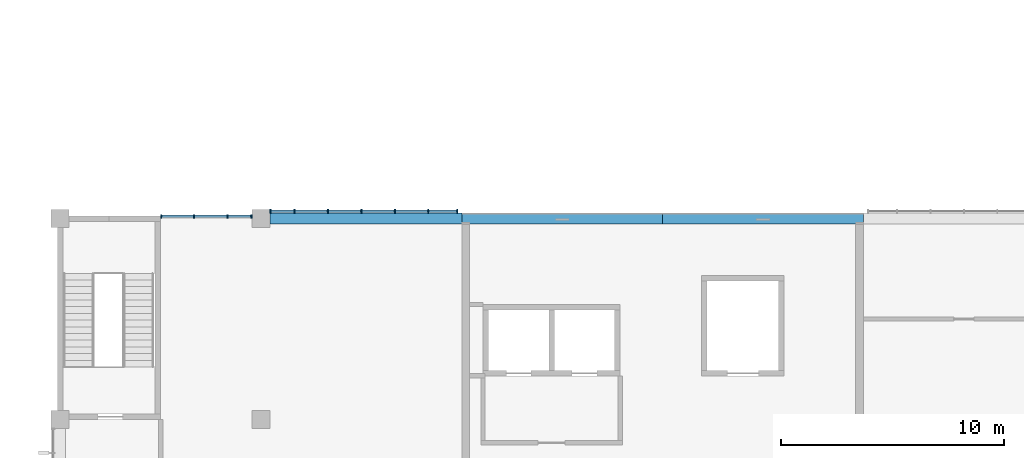
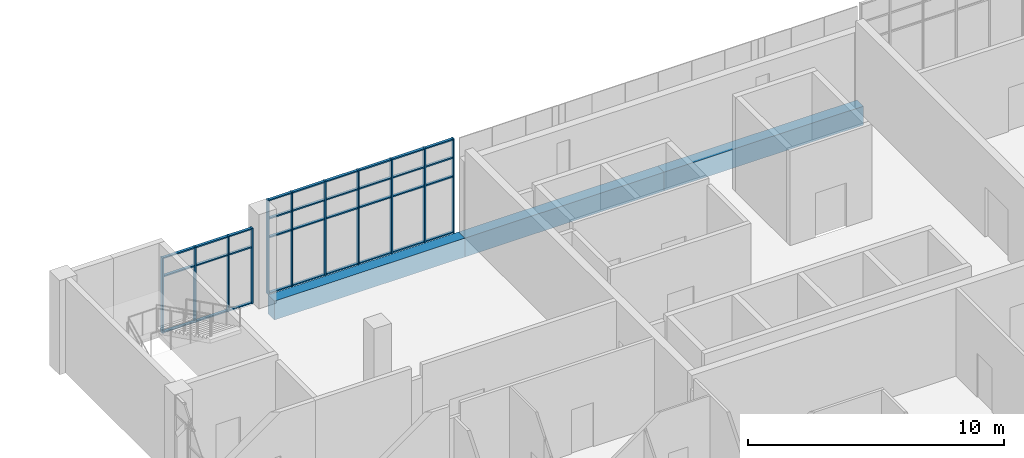
# One storey, part 4 of 19: 44 members, 3 beams, 2 elements without a shape of their own.
"""IFC4 building model written with IfcOpenShell, lengths in metres."""

import ifcopenshell
import ifcopenshell.guid

model = None  # the IFC model being written
_history = None  # IfcOwnerHistory: only IFC2X3 demands one
_inside = {}  # id of a spatial element -> (the spatial element, [elements in it])
_under = {}  # id of a project, library or spatial element -> (it, [spatial elements below it])
_declared = {}  # id of a project -> (the project, [libraries it declares])
_typed = {}  # id of a type object -> (the type object, [elements of that type])
_made_of = {}  # id of a material, layer set ... -> (it, [elements and type objects made of it])


def new_model(schema):
    """Start an empty IFC model of exactly this schema.

    Asked for "IFC4X3", IfcOpenShell would pick the latest addendum, in which some entities
    have other attributes; the version numbers below select the first issue.
    IFC2X3 requires an IfcOwnerHistory on every rooted entity: one is made here for all.
    """
    global model, _history
    if schema == "IFC4X3":
        model = ifcopenshell.file(schema_version=(4, 3, 0, 0))
    else:
        model = ifcopenshell.file(schema=schema)
    _inside.clear()
    _under.clear()
    _declared.clear()
    _typed.clear()
    _made_of.clear()
    _history = None
    if model.schema == "IFC2X3":
        org = make("IfcOrganization", Name="unknown")
        user = make(
            "IfcPersonAndOrganization",
            ThePerson=make("IfcPerson", FamilyName="unknown"),
            TheOrganization=org,
        )
        app = make(
            "IfcApplication",
            ApplicationDeveloper=org,
            Version="unknown",
            ApplicationFullName="unknown",
            ApplicationIdentifier="unknown",
        )
        _history = make(
            "IfcOwnerHistory",
            OwningUser=user,
            OwningApplication=app,
            ChangeAction="ADDED",
            CreationDate=0,
        )
    return model


def make(cls, **values):
    """One entity of the class cls with the attributes given. An attribute that is None is left unset."""
    return model.create_entity(
        cls, **{name: value for name, value in values.items() if value is not None}
    )


def rooted(cls, **values):
    """An entity with a GlobalId (a new one), such as an element, a storey or a relation."""
    return make(cls, GlobalId=ifcopenshell.guid.new(), OwnerHistory=_history, **values)


def si_unit(unit_type, name, prefix=None):
    """IfcSIUnit, for example si_unit("LENGTHUNIT", "METRE", prefix="MILLI")."""
    return make("IfcSIUnit", UnitType=unit_type, Prefix=prefix, Name=name)


def assignment(units):
    """IfcUnitAssignment: the units of a project."""
    return None if units is None else make("IfcUnitAssignment", Units=units)


def point(xyz):
    """IfcCartesianPoint."""
    return None if xyz is None else make("IfcCartesianPoint", Coordinates=xyz)


def direction(xyz):
    """IfcDirection."""
    return None if xyz is None else make("IfcDirection", DirectionRatios=xyz)


def frame(location, z_axis=None, x_axis=None):
    """IfcAxis2Placement3D, a coordinate frame: its origin and axes. An axis left out is left unset."""
    return make(
        "IfcAxis2Placement3D",
        Location=point(location),
        Axis=direction(z_axis),
        RefDirection=direction(x_axis),
    )


def frame_2d(location, x_axis=None):
    """IfcAxis2Placement2D, a coordinate frame in the plane: its origin and x axis."""
    return make(
        "IfcAxis2Placement2D", Location=point(location), RefDirection=direction(x_axis)
    )


def origin():
    """The frame at (0, 0, 0) with its axes left unset."""
    return frame((0.0, 0.0, 0.0))


def origin_2d():
    """The frame at (0, 0) in the plane with its x axis left unset."""
    return frame_2d((0.0, 0.0))


def place(relative_to, where):
    """IfcLocalPlacement: puts the frame where relative to a parent placement (None: the world)."""
    return make(
        "IfcLocalPlacement", PlacementRelTo=relative_to, RelativePlacement=where
    )


def context(
    kind, dimensions, precision=None, world=None, true_north=None, identifier=None
):
    """IfcGeometricRepresentationContext, for example the 3D "Model" context."""
    return make(
        "IfcGeometricRepresentationContext",
        ContextIdentifier=identifier,
        ContextType=kind,
        CoordinateSpaceDimension=dimensions,
        Precision=precision,
        WorldCoordinateSystem=world,
        TrueNorth=true_north,
    )


def subcontext(parent, identifier, kind, view, scale=None):
    """IfcGeometricRepresentationSubContext, for example "Body" below "Model"."""
    return make(
        "IfcGeometricRepresentationSubContext",
        ContextIdentifier=identifier,
        ContextType=kind,
        ParentContext=parent,
        TargetScale=scale,
        TargetView=view,
    )


def project(units=None, contexts=None):
    """IfcProject with its units and contexts."""
    return rooted(
        "IfcProject",
        Name="project",
        RepresentationContexts=contexts,
        UnitsInContext=assignment(units),
    )


def spatial(cls, under=None, at=None, **own):
    """A site, building, storey or space (cls), placed at a placement, below another one or the project."""
    s = rooted(cls, ObjectPlacement=at, **own)
    if under is not None:
        _under.setdefault(under.id(), (under, []))[1].append(s)
    return s


def profile(cls, at=None, kind="AREA", **sizes):
    """A parametric profile (cls). Its sizes go by their IFC names, for example OverallWidth=200.0."""
    return make(cls, ProfileType=kind, Position=at, **sizes)


def rectangle(**sizes):
    """IfcRectangleProfileDef."""
    return profile("IfcRectangleProfileDef", **sizes)


def extrude(swept, where, along, depth):
    """IfcExtrudedAreaSolid: the profile swept, set in the frame where, extruded along a direction by depth."""
    return make(
        "IfcExtrudedAreaSolid",
        SweptArea=swept,
        Position=where,
        ExtrudedDirection=direction(along),
        Depth=depth,
    )


def shape(context_of_items, identifier, shape_type, items):
    """IfcShapeRepresentation: the items that make up one representation, for example the "Body"."""
    return make(
        "IfcShapeRepresentation",
        ContextOfItems=context_of_items,
        RepresentationIdentifier=identifier,
        RepresentationType=shape_type,
        Items=items,
    )


def material(Name=None, Category=None):
    """IfcMaterial."""
    return make("IfcMaterial", Name=Name, Category=Category)


def layer(
    of_material, thickness, ventilated=None, Name=None, Category=None, Priority=None
):
    """IfcMaterialLayer: one layer of a wall or slab, of a material (None: an air gap)."""
    return make(
        "IfcMaterialLayer",
        Material=of_material,
        LayerThickness=thickness,
        IsVentilated=ventilated,
        Name=Name,
        Category=Category,
        Priority=Priority,
    )


def layer_set(layers, Name=None):
    """IfcMaterialLayerSet."""
    return make("IfcMaterialLayerSet", MaterialLayers=layers, LayerSetName=Name)


def material_profile(
    of_material, cross_section, Name=None, Category=None, Priority=None
):
    """IfcMaterialProfile: a cross section and its material."""
    return make(
        "IfcMaterialProfile",
        Name=Name,
        Material=of_material,
        Profile=cross_section,
        Priority=Priority,
        Category=Category,
    )


def profile_set(profiles, Name=None, composite=None):
    """IfcMaterialProfileSet."""
    return make(
        "IfcMaterialProfileSet",
        Name=Name,
        MaterialProfiles=profiles,
        CompositeProfile=composite,
    )


def made_of(thing, what):
    """Note that an element or type object is made of a material, layer set ...; save() writes the relation."""
    if what is not None:
        _made_of.setdefault(what.id(), (what, []))[1].append(thing)
    return thing


def type_object(cls, material=None, **own):
    """A type object (cls), such as IfcWallType, which elements share."""
    return made_of(rooted(cls, **own), material)


def element(
    cls,
    number,
    at=None,
    inside=None,
    cuts=None,
    type_object=None,
    material=None,
    context=None,
    identifier="Body",
    shape_type=None,
    held_by="IfcProductDefinitionShape",
    body=None,
    shapes=None,
    **own,
):
    """One element of the class cls, such as IfcWall. Its Tag is "e" and its number.

    at: its placement. inside: the storey or other place that contains it. cuts: it is an
    opening in that element (IfcRelVoidsElement). A single representation is given by context,
    identifier, shape_type and body (its items); several are given by shapes. held_by: the class
    of the entity that holds the representations. save() writes the other relations.
    """
    e = rooted(cls, Tag="e%d" % number, ObjectPlacement=at, **own)
    if body is not None:
        shapes = [shape(context, identifier, shape_type, body)]
    if shapes is not None:
        e.Representation = make(held_by, Representations=shapes)
    if inside is not None:
        _inside.setdefault(inside.id(), (inside, []))[1].append(e)
    if cuts is not None:
        rooted(
            "IfcRelVoidsElement", RelatingBuildingElement=cuts, RelatedOpeningElement=e
        )
    if type_object is not None:
        _typed.setdefault(type_object.id(), (type_object, []))[1].append(e)
    return made_of(e, material)


def aggregate(whole, parts):
    """IfcRelAggregates: a whole, such as a stair, and the parts it consists of."""
    return rooted("IfcRelAggregates", RelatingObject=whole, RelatedObjects=parts)


def save(model, path):
    """Write the relations noted so far, then the file.

    IfcRelAggregates (storeys below a building ...), IfcRelContainedInSpatialStructure (elements
    in a storey), IfcRelDefinesByType, IfcRelAssociatesMaterial and IfcRelDeclares: one each for
    every whole, place, type object, material and project.
    """
    for whole, parts in _under.values():
        aggregate(whole, parts)
    for where, things in _inside.values():
        rooted(
            "IfcRelContainedInSpatialStructure",
            RelatedElements=things,
            RelatingStructure=where,
        )
    for kind, things in _typed.values():
        rooted("IfcRelDefinesByType", RelatedObjects=things, RelatingType=kind)
    for what, things in _made_of.values():
        rooted("IfcRelAssociatesMaterial", RelatedObjects=things, RelatingMaterial=what)
    for by, libraries in _declared.values():
        rooted("IfcRelDeclares", RelatingContext=by, RelatedDefinitions=libraries)
    model.write(path)


model = new_model("IFC4")

# Units and contexts
model_context = context("Model", 3, precision=1e-05, world=origin(), true_north=direction((0.0, 1.0)))
body_context = subcontext(model_context, "Body", "Model", "MODEL_VIEW")
ifc_project = project(units=[si_unit("LENGTHUNIT", "METRE"), si_unit("AREAUNIT", "SQUARE_METRE"), si_unit("VOLUMEUNIT", "CUBIC_METRE"), si_unit("PLANEANGLEUNIT", "RADIAN"), si_unit("MASSUNIT", "GRAM", prefix="KILO")], contexts=[model_context])

# Site, building, storey
site_placement = place(None, origin())
site = spatial("IfcSite", under=ifc_project, at=site_placement, CompositionType="ELEMENT")
building_placement = place(site_placement, origin())
building = spatial("IfcBuilding", under=site, at=building_placement, Name="Guidao Yard Department Store", CompositionType="ELEMENT")
storey_placement = place(building_placement, frame((0.0, 0.0, 33.0)))
storey = spatial("IfcBuildingStorey", under=building, at=storey_placement, Name="L07", CompositionType="ELEMENT", Elevation=33.0)

# Curtain wall, members
ifc_material_1 = material(Name="Aluminium and glass", Category="aluminium")
ifc_layer = layer(ifc_material_1, 0.159912109375)
ifc_layer_set = layer_set([ifc_layer], Name="Unitised curtain wall CW4 1500 module")
curtain_wall_type = type_object("IfcCurtainWallType", Name="Unitised curtain wall CW4 1500 module", PredefinedType="NOTDEFINED", material=ifc_layer_set)
curtain_wall_1_placement = place(storey_placement, origin())
curtain_wall_1 = element("IfcCurtainWall", 1, at=curtain_wall_1_placement, inside=storey, type_object=curtain_wall_type, Name="Unitised curtain wall", PredefinedType="NOTDEFINED")
ifc_material_2 = material(Name="Aluminium 6063-T5", Category="aluminium")
ifc_material_profile_1 = material_profile(ifc_material_2, rectangle(XDim=0.06005859375, YDim=0.159912109375, at=origin_2d()), Name="Mullion M1 60 x 160 aluminium pressure plate")
ifc_profile_set_1 = profile_set([ifc_material_profile_1], Name="Aluminium 6063-T5")
member_type_1 = type_object("IfcMemberType", Name="Mullion M1 60 x 160 aluminium pressure plate", PredefinedType="MULLION", material=ifc_profile_set_1)
member_1_placement = place(storey_placement, frame((130.530029296875, 27.10009765625, 0.0), z_axis=(0.0, 0.0, 1.0), x_axis=(1.0, 0.0, 0.0)))
member_1 = element("IfcMember", 2, at=member_1_placement, type_object=member_type_1, Name="CW-OW-L07-06 mullion 1", PredefinedType="MULLION", context=body_context, shape_type="SweptSolid", body=[
    extrude(rectangle(XDim=0.06005859375, YDim=0.159912109375, at=origin_2d()), origin(), (0.0, 0.0, 1.0), 3.60009765625),
])
member_2_placement = place(storey_placement, frame((132.0, 27.10009765625, 0.0), z_axis=(0.0, 0.0, 1.0), x_axis=(1.0, 0.0, 0.0)))
member_2 = element("IfcMember", 3, at=member_2_placement, type_object=member_type_1, Name="CW-OW-L07-06 mullion 2", PredefinedType="MULLION", context=body_context, shape_type="SweptSolid", body=[
    extrude(rectangle(XDim=0.06005859375, YDim=0.159912109375, at=origin_2d()), origin(), (0.0, 0.0, 1.0), 3.60009765625),
])
member_3_placement = place(storey_placement, frame((133.5, 27.10009765625, 0.0), z_axis=(0.0, 0.0, 1.0), x_axis=(1.0, 0.0, 0.0)))
member_3 = element("IfcMember", 4, at=member_3_placement, type_object=member_type_1, Name="CW-OW-L07-06 mullion 3", PredefinedType="MULLION", context=body_context, shape_type="SweptSolid", body=[
    extrude(rectangle(XDim=0.06005859375, YDim=0.159912109375, at=origin_2d()), origin(), (0.0, 0.0, 1.0), 3.60009765625),
])
member_4_placement = place(storey_placement, frame((134.570068359375, 27.10009765625, 0.0), z_axis=(0.0, 0.0, 1.0), x_axis=(1.0, 0.0, 0.0)))
member_4 = element("IfcMember", 5, at=member_4_placement, type_object=member_type_1, Name="CW-OW-L07-06 mullion 4", PredefinedType="MULLION", context=body_context, shape_type="SweptSolid", body=[
    extrude(rectangle(XDim=0.06005859375, YDim=0.159912109375, at=origin_2d()), origin(), (0.0, 0.0, 1.0), 3.60009765625),
])

curtain_wall_2_placement = place(storey_placement, origin())
curtain_wall_2 = element("IfcCurtainWall", 6, at=curtain_wall_2_placement, inside=storey, type_object=curtain_wall_type, Name="Unitised curtain wall", PredefinedType="NOTDEFINED")
member_5_placement = place(storey_placement, frame((135.429931640625, 27.330078125, 0.0), z_axis=(0.0, 0.0, 1.0), x_axis=(1.0, 0.0, 0.0)))
member_5 = element("IfcMember", 7, at=member_5_placement, type_object=member_type_1, Name="CW-OW-L07-07 mullion 1", PredefinedType="MULLION", context=body_context, shape_type="SweptSolid", body=[
    extrude(rectangle(XDim=0.06005859375, YDim=0.159912109375, at=origin_2d()), origin(), (0.0, 0.0, 1.0), 4.5),
])
member_6_placement = place(storey_placement, frame((136.5, 27.330078125, 0.0), z_axis=(0.0, 0.0, 1.0), x_axis=(1.0, 0.0, 0.0)))
member_6 = element("IfcMember", 8, at=member_6_placement, type_object=member_type_1, Name="CW-OW-L07-07 mullion 2", PredefinedType="MULLION", context=body_context, shape_type="SweptSolid", body=[
    extrude(rectangle(XDim=0.06005859375, YDim=0.159912109375, at=origin_2d()), origin(), (0.0, 0.0, 1.0), 4.5),
])
member_7_placement = place(storey_placement, frame((138.0, 27.330078125, 0.0), z_axis=(0.0, 0.0, 1.0), x_axis=(1.0, 0.0, 0.0)))
member_7 = element("IfcMember", 9, at=member_7_placement, type_object=member_type_1, Name="CW-OW-L07-07 mullion 3", PredefinedType="MULLION", context=body_context, shape_type="SweptSolid", body=[
    extrude(rectangle(XDim=0.06005859375, YDim=0.159912109375, at=origin_2d()), origin(), (0.0, 0.0, 1.0), 4.5),
])
member_8_placement = place(storey_placement, frame((139.5, 27.330078125, 0.0), z_axis=(0.0, 0.0, 1.0), x_axis=(1.0, 0.0, 0.0)))
member_8 = element("IfcMember", 10, at=member_8_placement, type_object=member_type_1, Name="CW-OW-L07-07 mullion 4", PredefinedType="MULLION", context=body_context, shape_type="SweptSolid", body=[
    extrude(rectangle(XDim=0.06005859375, YDim=0.159912109375, at=origin_2d()), origin(), (0.0, 0.0, 1.0), 4.5),
])
member_9_placement = place(storey_placement, frame((141.0, 27.330078125, 0.0), z_axis=(0.0, 0.0, 1.0), x_axis=(1.0, 0.0, 0.0)))
member_9 = element("IfcMember", 11, at=member_9_placement, type_object=member_type_1, Name="CW-OW-L07-07 mullion 5", PredefinedType="MULLION", context=body_context, shape_type="SweptSolid", body=[
    extrude(rectangle(XDim=0.06005859375, YDim=0.159912109375, at=origin_2d()), origin(), (0.0, 0.0, 1.0), 4.5),
])
member_10_placement = place(storey_placement, frame((142.5, 27.330078125, 0.0), z_axis=(0.0, 0.0, 1.0), x_axis=(1.0, 0.0, 0.0)))
member_10 = element("IfcMember", 12, at=member_10_placement, type_object=member_type_1, Name="CW-OW-L07-07 mullion 6", PredefinedType="MULLION", context=body_context, shape_type="SweptSolid", body=[
    extrude(rectangle(XDim=0.06005859375, YDim=0.159912109375, at=origin_2d()), origin(), (0.0, 0.0, 1.0), 4.5),
])
member_11_placement = place(storey_placement, frame((143.794921875, 27.330078125, 0.0), z_axis=(0.0, 0.0, 1.0), x_axis=(1.0, 0.0, 0.0)))
member_11 = element("IfcMember", 13, at=member_11_placement, type_object=member_type_1, Name="CW-OW-L07-07 mullion 7", PredefinedType="MULLION", context=body_context, shape_type="SweptSolid", body=[
    extrude(rectangle(XDim=0.06005859375, YDim=0.159912109375, at=origin_2d()), origin(), (0.0, 0.0, 1.0), 4.5),
])

# Beams
ifc_material_3 = material(Name="Concrete C40", Category="concrete")
ifc_material_profile_2 = material_profile(ifc_material_3, rectangle(XDim=0.5, YDim=0.89990234375, at=origin_2d()), Name="Spandrel beam 500 x 900 C40")
ifc_profile_set_2 = profile_set([ifc_material_profile_2], Name="Concrete C40")
beam_type = type_object("IfcBeamType", Name="Spandrel beam 500 x 900 C40", PredefinedType="SPANDREL", material=ifc_profile_set_2)
beam_placement = place(storey_placement, frame((135.39990234375, 27.0, -0.449951171875), z_axis=(1.0, 0.0, 0.0), x_axis=(0.0, 1.0, 0.0)))
element("IfcBeam", 14, at=beam_placement, inside=storey, type_object=beam_type, Name="Beam FB05", PredefinedType="SPANDREL", context=body_context, shape_type="SweptSolid", body=[
    extrude(rectangle(XDim=0.5, YDim=0.89990234375, at=origin_2d()), origin(), (0.0, 0.0, 1.0), 8.60009765625),
])
for number, where, z_axis, x_axis, name in (
    (15, (144.0, 27.0, -0.449951171875), (1.0, 0.0, 0.0), (0.0, 1.0, 0.0), "Beam FB06"),
    (16, (153.0, 27.0, -0.449951171875), (1.0, 0.0, 0.0), (0.0, 1.0, 0.0), "Beam FB07"),
):
    element("IfcBeam", number, at=place(storey_placement, frame(where, z_axis=z_axis, x_axis=x_axis)), inside=storey, type_object=beam_type, Name=name, PredefinedType="SPANDREL", context=body_context, shape_type="SweptSolid", body=[
        extrude(rectangle(XDim=0.5, YDim=0.89990234375, at=origin_2d()), origin(), (0.0, 0.0, 1.0), 9.0),
    ])

# Member
ifc_material_4 = material(Name="Aluminium 6063-T5", Category="aluminium")
ifc_material_profile_3 = material_profile(ifc_material_4, rectangle(XDim=0.1201171875, YDim=0.06005859375, at=origin_2d()), Name="Transom T1 60 x 120 aluminium pressure plate")
ifc_profile_set_3 = profile_set([ifc_material_profile_3], Name="Aluminium 6063-T5")
member_type_2 = type_object("IfcMemberType", Name="Transom T1 60 x 120 aluminium pressure plate", PredefinedType="USERDEFINED", material=ifc_profile_set_3)
member_12_placement = place(storey_placement, frame((130.56005859375, 27.10009765625, 0.030029296875), z_axis=(1.0, 0.0, 0.0), x_axis=(0.0, 1.0, 0.0)))
member_12 = element("IfcMember", 17, at=member_12_placement, type_object=member_type_2, Name="CW-OW-L07-06 transom 1.1", ObjectType="TRANSOM", PredefinedType="USERDEFINED", context=body_context, shape_type="SweptSolid", body=[
    extrude(rectangle(XDim=0.1201171875, YDim=0.06005859375, at=origin_2d()), origin(), (0.0, 0.0, 1.0), 1.409912109375),
])

member_13_placement = place(storey_placement, frame((130.56005859375, 27.10009765625, 2.699951171875), z_axis=(1.0, 0.0, 0.0), x_axis=(0.0, 1.0, 0.0)))
member_13 = element("IfcMember", 18, at=member_13_placement, type_object=member_type_2, Name="CW-OW-L07-06 transom 1.2", ObjectType="TRANSOM", PredefinedType="USERDEFINED", context=body_context, shape_type="SweptSolid", body=[
    extrude(rectangle(XDim=0.1201171875, YDim=0.06005859375, at=origin_2d()), origin(), (0.0, 0.0, 1.0), 1.409912109375),
])

member_14_placement = place(storey_placement, frame((130.56005859375, 27.10009765625, 3.570068359375), z_axis=(1.0, 0.0, 0.0), x_axis=(0.0, 1.0, 0.0)))
member_14 = element("IfcMember", 19, at=member_14_placement, type_object=member_type_2, Name="CW-OW-L07-06 transom 1.3", ObjectType="TRANSOM", PredefinedType="USERDEFINED", context=body_context, shape_type="SweptSolid", body=[
    extrude(rectangle(XDim=0.1201171875, YDim=0.06005859375, at=origin_2d()), origin(), (0.0, 0.0, 1.0), 1.409912109375),
])

member_15_placement = place(storey_placement, frame((132.030029296875, 27.10009765625, 0.030029296875), z_axis=(1.0, 0.0, 0.0), x_axis=(0.0, 1.0, 0.0)))
member_15 = element("IfcMember", 20, at=member_15_placement, type_object=member_type_2, Name="CW-OW-L07-06 transom 2.1", ObjectType="TRANSOM", PredefinedType="USERDEFINED", context=body_context, shape_type="SweptSolid", body=[
    extrude(rectangle(XDim=0.1201171875, YDim=0.06005859375, at=origin_2d()), origin(), (0.0, 0.0, 1.0), 1.43994140625),
])

member_16_placement = place(storey_placement, frame((132.030029296875, 27.10009765625, 2.699951171875), z_axis=(1.0, 0.0, 0.0), x_axis=(0.0, 1.0, 0.0)))
member_16 = element("IfcMember", 21, at=member_16_placement, type_object=member_type_2, Name="CW-OW-L07-06 transom 2.2", ObjectType="TRANSOM", PredefinedType="USERDEFINED", context=body_context, shape_type="SweptSolid", body=[
    extrude(rectangle(XDim=0.1201171875, YDim=0.06005859375, at=origin_2d()), origin(), (0.0, 0.0, 1.0), 1.43994140625),
])

member_17_placement = place(storey_placement, frame((132.030029296875, 27.10009765625, 3.570068359375), z_axis=(1.0, 0.0, 0.0), x_axis=(0.0, 1.0, 0.0)))
member_17 = element("IfcMember", 22, at=member_17_placement, type_object=member_type_2, Name="CW-OW-L07-06 transom 2.3", ObjectType="TRANSOM", PredefinedType="USERDEFINED", context=body_context, shape_type="SweptSolid", body=[
    extrude(rectangle(XDim=0.1201171875, YDim=0.06005859375, at=origin_2d()), origin(), (0.0, 0.0, 1.0), 1.43994140625),
])

member_18_placement = place(storey_placement, frame((133.530029296875, 27.10009765625, 0.030029296875), z_axis=(1.0, 0.0, 0.0), x_axis=(0.0, 1.0, 0.0)))
member_18 = element("IfcMember", 23, at=member_18_placement, type_object=member_type_2, Name="CW-OW-L07-06 transom 3.1", ObjectType="TRANSOM", PredefinedType="USERDEFINED", context=body_context, shape_type="SweptSolid", body=[
    extrude(rectangle(XDim=0.1201171875, YDim=0.06005859375, at=origin_2d()), origin(), (0.0, 0.0, 1.0), 1.010009765625),
])

member_19_placement = place(storey_placement, frame((133.530029296875, 27.10009765625, 2.699951171875), z_axis=(1.0, 0.0, 0.0), x_axis=(0.0, 1.0, 0.0)))
member_19 = element("IfcMember", 24, at=member_19_placement, type_object=member_type_2, Name="CW-OW-L07-06 transom 3.2", ObjectType="TRANSOM", PredefinedType="USERDEFINED", context=body_context, shape_type="SweptSolid", body=[
    extrude(rectangle(XDim=0.1201171875, YDim=0.06005859375, at=origin_2d()), origin(), (0.0, 0.0, 1.0), 1.010009765625),
])

member_20_placement = place(storey_placement, frame((133.530029296875, 27.10009765625, 3.570068359375), z_axis=(1.0, 0.0, 0.0), x_axis=(0.0, 1.0, 0.0)))
member_20 = element("IfcMember", 25, at=member_20_placement, type_object=member_type_2, Name="CW-OW-L07-06 transom 3.3", ObjectType="TRANSOM", PredefinedType="USERDEFINED", context=body_context, shape_type="SweptSolid", body=[
    extrude(rectangle(XDim=0.1201171875, YDim=0.06005859375, at=origin_2d()), origin(), (0.0, 0.0, 1.0), 1.010009765625),
])

aggregate(curtain_wall_1, [member_1, member_2, member_3, member_4, member_12, member_13, member_14, member_15, member_16, member_17, member_18, member_19, member_20])

member_21_placement = place(storey_placement, frame((135.4599609375, 27.330078125, 0.030029296875), z_axis=(1.0, 0.0, 0.0), x_axis=(0.0, 1.0, 0.0)))
member_21 = element("IfcMember", 26, at=member_21_placement, type_object=member_type_2, Name="CW-OW-L07-07 transom 1.1", ObjectType="TRANSOM", PredefinedType="USERDEFINED", context=body_context, shape_type="SweptSolid", body=[
    extrude(rectangle(XDim=0.1201171875, YDim=0.06005859375, at=origin_2d()), origin(), (0.0, 0.0, 1.0), 1.010009765625),
])

member_22_placement = place(storey_placement, frame((135.4599609375, 27.330078125, 2.699951171875), z_axis=(1.0, 0.0, 0.0), x_axis=(0.0, 1.0, 0.0)))
member_22 = element("IfcMember", 27, at=member_22_placement, type_object=member_type_2, Name="CW-OW-L07-07 transom 1.2", ObjectType="TRANSOM", PredefinedType="USERDEFINED", context=body_context, shape_type="SweptSolid", body=[
    extrude(rectangle(XDim=0.1201171875, YDim=0.06005859375, at=origin_2d()), origin(), (0.0, 0.0, 1.0), 1.010009765625),
])

member_23_placement = place(storey_placement, frame((135.4599609375, 27.330078125, 3.60009765625), z_axis=(1.0, 0.0, 0.0), x_axis=(0.0, 1.0, 0.0)))
member_23 = element("IfcMember", 28, at=member_23_placement, type_object=member_type_2, Name="CW-OW-L07-07 transom 1.3", ObjectType="TRANSOM", PredefinedType="USERDEFINED", context=body_context, shape_type="SweptSolid", body=[
    extrude(rectangle(XDim=0.1201171875, YDim=0.06005859375, at=origin_2d()), origin(), (0.0, 0.0, 1.0), 1.010009765625),
])

member_24_placement = place(storey_placement, frame((135.4599609375, 27.330078125, 4.469970703125), z_axis=(1.0, 0.0, 0.0), x_axis=(0.0, 1.0, 0.0)))
member_24 = element("IfcMember", 29, at=member_24_placement, type_object=member_type_2, Name="CW-OW-L07-07 transom 1.4", ObjectType="TRANSOM", PredefinedType="USERDEFINED", context=body_context, shape_type="SweptSolid", body=[
    extrude(rectangle(XDim=0.1201171875, YDim=0.06005859375, at=origin_2d()), origin(), (0.0, 0.0, 1.0), 1.010009765625),
])

member_25_placement = place(storey_placement, frame((136.530029296875, 27.330078125, 0.030029296875), z_axis=(1.0, 0.0, 0.0), x_axis=(0.0, 1.0, 0.0)))
member_25 = element("IfcMember", 30, at=member_25_placement, type_object=member_type_2, Name="CW-OW-L07-07 transom 2.1", ObjectType="TRANSOM", PredefinedType="USERDEFINED", context=body_context, shape_type="SweptSolid", body=[
    extrude(rectangle(XDim=0.1201171875, YDim=0.06005859375, at=origin_2d()), origin(), (0.0, 0.0, 1.0), 1.43994140625),
])

member_26_placement = place(storey_placement, frame((136.530029296875, 27.330078125, 2.699951171875), z_axis=(1.0, 0.0, 0.0), x_axis=(0.0, 1.0, 0.0)))
member_26 = element("IfcMember", 31, at=member_26_placement, type_object=member_type_2, Name="CW-OW-L07-07 transom 2.2", ObjectType="TRANSOM", PredefinedType="USERDEFINED", context=body_context, shape_type="SweptSolid", body=[
    extrude(rectangle(XDim=0.1201171875, YDim=0.06005859375, at=origin_2d()), origin(), (0.0, 0.0, 1.0), 1.43994140625),
])

member_27_placement = place(storey_placement, frame((136.530029296875, 27.330078125, 3.60009765625), z_axis=(1.0, 0.0, 0.0), x_axis=(0.0, 1.0, 0.0)))
member_27 = element("IfcMember", 32, at=member_27_placement, type_object=member_type_2, Name="CW-OW-L07-07 transom 2.3", ObjectType="TRANSOM", PredefinedType="USERDEFINED", context=body_context, shape_type="SweptSolid", body=[
    extrude(rectangle(XDim=0.1201171875, YDim=0.06005859375, at=origin_2d()), origin(), (0.0, 0.0, 1.0), 1.43994140625),
])

member_28_placement = place(storey_placement, frame((136.530029296875, 27.330078125, 4.469970703125), z_axis=(1.0, 0.0, 0.0), x_axis=(0.0, 1.0, 0.0)))
member_28 = element("IfcMember", 33, at=member_28_placement, type_object=member_type_2, Name="CW-OW-L07-07 transom 2.4", ObjectType="TRANSOM", PredefinedType="USERDEFINED", context=body_context, shape_type="SweptSolid", body=[
    extrude(rectangle(XDim=0.1201171875, YDim=0.06005859375, at=origin_2d()), origin(), (0.0, 0.0, 1.0), 1.43994140625),
])

member_29_placement = place(storey_placement, frame((138.030029296875, 27.330078125, 0.030029296875), z_axis=(1.0, 0.0, 0.0), x_axis=(0.0, 1.0, 0.0)))
member_29 = element("IfcMember", 34, at=member_29_placement, type_object=member_type_2, Name="CW-OW-L07-07 transom 3.1", ObjectType="TRANSOM", PredefinedType="USERDEFINED", context=body_context, shape_type="SweptSolid", body=[
    extrude(rectangle(XDim=0.1201171875, YDim=0.06005859375, at=origin_2d()), origin(), (0.0, 0.0, 1.0), 1.43994140625),
])

member_30_placement = place(storey_placement, frame((138.030029296875, 27.330078125, 2.699951171875), z_axis=(1.0, 0.0, 0.0), x_axis=(0.0, 1.0, 0.0)))
member_30 = element("IfcMember", 35, at=member_30_placement, type_object=member_type_2, Name="CW-OW-L07-07 transom 3.2", ObjectType="TRANSOM", PredefinedType="USERDEFINED", context=body_context, shape_type="SweptSolid", body=[
    extrude(rectangle(XDim=0.1201171875, YDim=0.06005859375, at=origin_2d()), origin(), (0.0, 0.0, 1.0), 1.43994140625),
])

member_31_placement = place(storey_placement, frame((138.030029296875, 27.330078125, 3.60009765625), z_axis=(1.0, 0.0, 0.0), x_axis=(0.0, 1.0, 0.0)))
member_31 = element("IfcMember", 36, at=member_31_placement, type_object=member_type_2, Name="CW-OW-L07-07 transom 3.3", ObjectType="TRANSOM", PredefinedType="USERDEFINED", context=body_context, shape_type="SweptSolid", body=[
    extrude(rectangle(XDim=0.1201171875, YDim=0.06005859375, at=origin_2d()), origin(), (0.0, 0.0, 1.0), 1.43994140625),
])

member_32_placement = place(storey_placement, frame((138.030029296875, 27.330078125, 4.469970703125), z_axis=(1.0, 0.0, 0.0), x_axis=(0.0, 1.0, 0.0)))
member_32 = element("IfcMember", 37, at=member_32_placement, type_object=member_type_2, Name="CW-OW-L07-07 transom 3.4", ObjectType="TRANSOM", PredefinedType="USERDEFINED", context=body_context, shape_type="SweptSolid", body=[
    extrude(rectangle(XDim=0.1201171875, YDim=0.06005859375, at=origin_2d()), origin(), (0.0, 0.0, 1.0), 1.43994140625),
])

member_33_placement = place(storey_placement, frame((139.530029296875, 27.330078125, 0.030029296875), z_axis=(1.0, 0.0, 0.0), x_axis=(0.0, 1.0, 0.0)))
member_33 = element("IfcMember", 38, at=member_33_placement, type_object=member_type_2, Name="CW-OW-L07-07 transom 4.1", ObjectType="TRANSOM", PredefinedType="USERDEFINED", context=body_context, shape_type="SweptSolid", body=[
    extrude(rectangle(XDim=0.1201171875, YDim=0.06005859375, at=origin_2d()), origin(), (0.0, 0.0, 1.0), 1.43994140625),
])

member_34_placement = place(storey_placement, frame((139.530029296875, 27.330078125, 2.699951171875), z_axis=(1.0, 0.0, 0.0), x_axis=(0.0, 1.0, 0.0)))
member_34 = element("IfcMember", 39, at=member_34_placement, type_object=member_type_2, Name="CW-OW-L07-07 transom 4.2", ObjectType="TRANSOM", PredefinedType="USERDEFINED", context=body_context, shape_type="SweptSolid", body=[
    extrude(rectangle(XDim=0.1201171875, YDim=0.06005859375, at=origin_2d()), origin(), (0.0, 0.0, 1.0), 1.43994140625),
])

member_35_placement = place(storey_placement, frame((139.530029296875, 27.330078125, 3.60009765625), z_axis=(1.0, 0.0, 0.0), x_axis=(0.0, 1.0, 0.0)))
member_35 = element("IfcMember", 40, at=member_35_placement, type_object=member_type_2, Name="CW-OW-L07-07 transom 4.3", ObjectType="TRANSOM", PredefinedType="USERDEFINED", context=body_context, shape_type="SweptSolid", body=[
    extrude(rectangle(XDim=0.1201171875, YDim=0.06005859375, at=origin_2d()), origin(), (0.0, 0.0, 1.0), 1.43994140625),
])

member_36_placement = place(storey_placement, frame((139.530029296875, 27.330078125, 4.469970703125), z_axis=(1.0, 0.0, 0.0), x_axis=(0.0, 1.0, 0.0)))
member_36 = element("IfcMember", 41, at=member_36_placement, type_object=member_type_2, Name="CW-OW-L07-07 transom 4.4", ObjectType="TRANSOM", PredefinedType="USERDEFINED", context=body_context, shape_type="SweptSolid", body=[
    extrude(rectangle(XDim=0.1201171875, YDim=0.06005859375, at=origin_2d()), origin(), (0.0, 0.0, 1.0), 1.43994140625),
])

member_37_placement = place(storey_placement, frame((141.030029296875, 27.330078125, 0.030029296875), z_axis=(1.0, 0.0, 0.0), x_axis=(0.0, 1.0, 0.0)))
member_37 = element("IfcMember", 42, at=member_37_placement, type_object=member_type_2, Name="CW-OW-L07-07 transom 5.1", ObjectType="TRANSOM", PredefinedType="USERDEFINED", context=body_context, shape_type="SweptSolid", body=[
    extrude(rectangle(XDim=0.1201171875, YDim=0.06005859375, at=origin_2d()), origin(), (0.0, 0.0, 1.0), 1.43994140625),
])

member_38_placement = place(storey_placement, frame((141.030029296875, 27.330078125, 2.699951171875), z_axis=(1.0, 0.0, 0.0), x_axis=(0.0, 1.0, 0.0)))
member_38 = element("IfcMember", 43, at=member_38_placement, type_object=member_type_2, Name="CW-OW-L07-07 transom 5.2", ObjectType="TRANSOM", PredefinedType="USERDEFINED", context=body_context, shape_type="SweptSolid", body=[
    extrude(rectangle(XDim=0.1201171875, YDim=0.06005859375, at=origin_2d()), origin(), (0.0, 0.0, 1.0), 1.43994140625),
])

member_39_placement = place(storey_placement, frame((141.030029296875, 27.330078125, 3.60009765625), z_axis=(1.0, 0.0, 0.0), x_axis=(0.0, 1.0, 0.0)))
member_39 = element("IfcMember", 44, at=member_39_placement, type_object=member_type_2, Name="CW-OW-L07-07 transom 5.3", ObjectType="TRANSOM", PredefinedType="USERDEFINED", context=body_context, shape_type="SweptSolid", body=[
    extrude(rectangle(XDim=0.1201171875, YDim=0.06005859375, at=origin_2d()), origin(), (0.0, 0.0, 1.0), 1.43994140625),
])

member_40_placement = place(storey_placement, frame((141.030029296875, 27.330078125, 4.469970703125), z_axis=(1.0, 0.0, 0.0), x_axis=(0.0, 1.0, 0.0)))
member_40 = element("IfcMember", 45, at=member_40_placement, type_object=member_type_2, Name="CW-OW-L07-07 transom 5.4", ObjectType="TRANSOM", PredefinedType="USERDEFINED", context=body_context, shape_type="SweptSolid", body=[
    extrude(rectangle(XDim=0.1201171875, YDim=0.06005859375, at=origin_2d()), origin(), (0.0, 0.0, 1.0), 1.43994140625),
])

member_41_placement = place(storey_placement, frame((142.530029296875, 27.330078125, 0.030029296875), z_axis=(1.0, 0.0, 0.0), x_axis=(0.0, 1.0, 0.0)))
member_41 = element("IfcMember", 46, at=member_41_placement, type_object=member_type_2, Name="CW-OW-L07-07 transom 6.1", ObjectType="TRANSOM", PredefinedType="USERDEFINED", context=body_context, shape_type="SweptSolid", body=[
    extrude(rectangle(XDim=0.1201171875, YDim=0.06005859375, at=origin_2d()), origin(), (0.0, 0.0, 1.0), 1.23486328125),
])

member_42_placement = place(storey_placement, frame((142.530029296875, 27.330078125, 2.699951171875), z_axis=(1.0, 0.0, 0.0), x_axis=(0.0, 1.0, 0.0)))
member_42 = element("IfcMember", 47, at=member_42_placement, type_object=member_type_2, Name="CW-OW-L07-07 transom 6.2", ObjectType="TRANSOM", PredefinedType="USERDEFINED", context=body_context, shape_type="SweptSolid", body=[
    extrude(rectangle(XDim=0.1201171875, YDim=0.06005859375, at=origin_2d()), origin(), (0.0, 0.0, 1.0), 1.23486328125),
])

member_43_placement = place(storey_placement, frame((142.530029296875, 27.330078125, 3.60009765625), z_axis=(1.0, 0.0, 0.0), x_axis=(0.0, 1.0, 0.0)))
member_43 = element("IfcMember", 48, at=member_43_placement, type_object=member_type_2, Name="CW-OW-L07-07 transom 6.3", ObjectType="TRANSOM", PredefinedType="USERDEFINED", context=body_context, shape_type="SweptSolid", body=[
    extrude(rectangle(XDim=0.1201171875, YDim=0.06005859375, at=origin_2d()), origin(), (0.0, 0.0, 1.0), 1.23486328125),
])

member_44_placement = place(storey_placement, frame((142.530029296875, 27.330078125, 4.469970703125), z_axis=(1.0, 0.0, 0.0), x_axis=(0.0, 1.0, 0.0)))
member_44 = element("IfcMember", 49, at=member_44_placement, type_object=member_type_2, Name="CW-OW-L07-07 transom 6.4", ObjectType="TRANSOM", PredefinedType="USERDEFINED", context=body_context, shape_type="SweptSolid", body=[
    extrude(rectangle(XDim=0.1201171875, YDim=0.06005859375, at=origin_2d()), origin(), (0.0, 0.0, 1.0), 1.23486328125),
])

aggregate(curtain_wall_2, [member_5, member_6, member_7, member_8, member_9, member_10, member_11, member_21, member_22, member_23, member_24, member_25, member_26, member_27, member_28, member_29, member_30, member_31, member_32, member_33, member_34, member_35, member_36, member_37, member_38, member_39, member_40, member_41, member_42, member_43, member_44])

save(model, "model.ifc")
